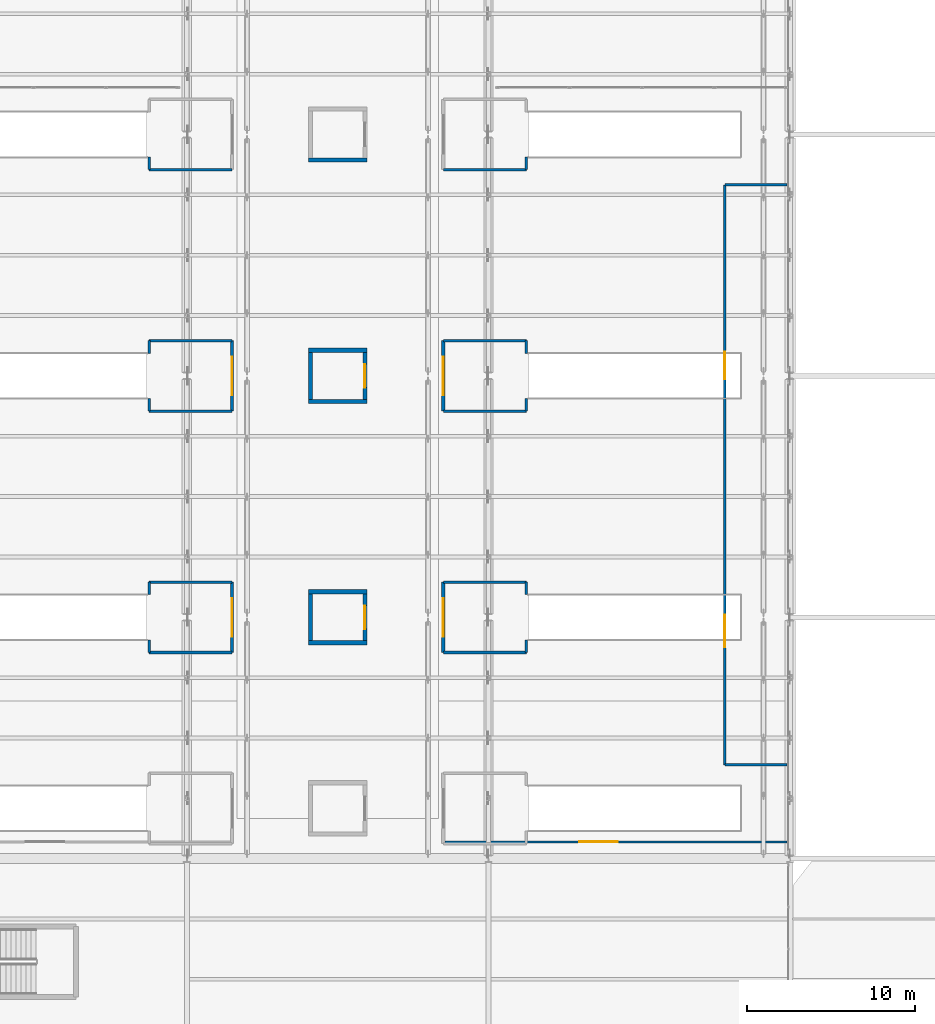
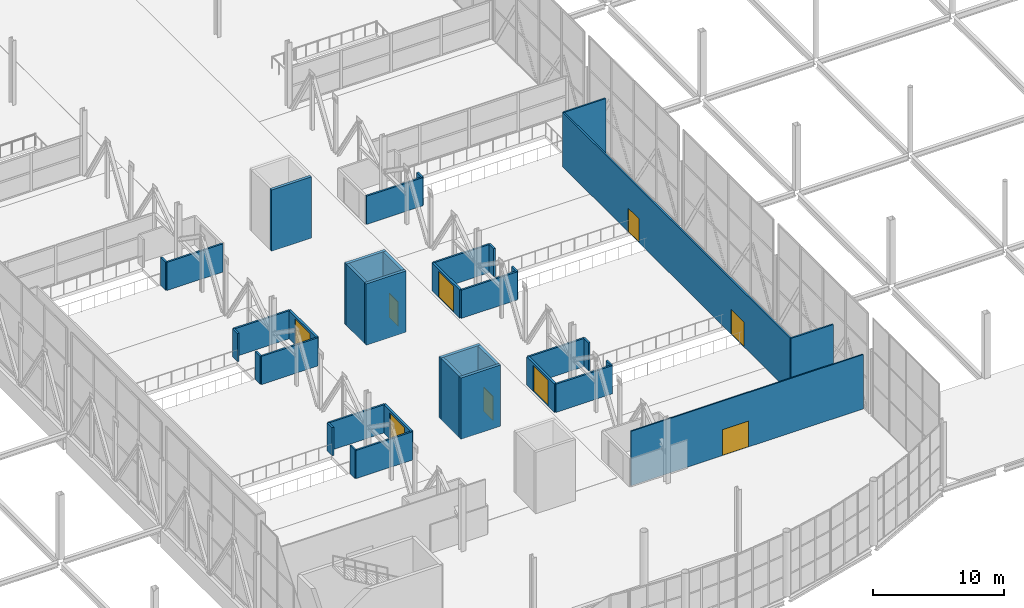
# One storey, part 168 of 191: 37 walls, 9 doors, 9 openings.
"""IFC4 building model written with IfcOpenShell, lengths in metres."""

from ifc_helpers import new_model, si_unit, direction, frame, frame_2d, origin, place, context, subcontext, project, spatial, rectangle, extrude, material, layer, layer_set, type_object, element, fill, save


model = new_model("IFC4")

# Units and contexts
model_context = context("Model", 3, precision=1e-05, world=origin(), true_north=direction((0.0, 1.0)))
body_context = subcontext(model_context, "Body", "Model", "MODEL_VIEW")
ifc_project = project(units=[si_unit("LENGTHUNIT", "METRE"), si_unit("AREAUNIT", "SQUARE_METRE"), si_unit("VOLUMEUNIT", "CUBIC_METRE"), si_unit("PLANEANGLEUNIT", "RADIAN"), si_unit("MASSUNIT", "GRAM", prefix="KILO")], contexts=[model_context])

# Site, building, storey
site_placement = place(None, origin())
site = spatial("IfcSite", under=ifc_project, at=site_placement, CompositionType="ELEMENT")
building_placement = place(site_placement, origin())
building = spatial("IfcBuilding", under=site, at=building_placement, Name="Tamarisk Ironworks Central Station", CompositionType="ELEMENT")
storey_placement = place(building_placement, frame((0.0, 0.0, 6.60009765625)))
storey = spatial("IfcBuildingStorey", under=building, at=storey_placement, Name="L01", CompositionType="ELEMENT", Elevation=6.60009765625)

# Walls
ifc_material_1 = material(Name="Gypsum plasterboard acoustic partition")
ifc_layer_1 = layer(ifc_material_1, 0.155029296875)
ifc_layer_set_1 = layer_set([ifc_layer_1], Name="Gypsum plasterboard acoustic partition")
wall_type_1 = type_object("IfcWallType", Name="WL-FC150", PredefinedType="PARTITIONING", material=ifc_layer_set_1)
for number, where, z_axis, x_axis, name in (
    (1, (69.75, 33.89990234375, 0.0), (0.0, 0.0, 1.0), (0.0, 1.0, 0.0), "ST-P2A smoke lobby flank S"),
    (2, (69.75, 37.35009765625, 0.0), (0.0, 0.0, 1.0), (0.0, 1.0, 0.0), "ST-P2A smoke lobby flank N"),
):
    element("IfcWall", number, at=place(storey_placement, frame(where, z_axis=z_axis, x_axis=x_axis)), inside=storey, type_object=wall_type_1, Name=name, PredefinedType="PARTITIONING", context=body_context, shape_type="SweptSolid", body=[
        extrude(rectangle(XDim=0.75, YDim=0.155029296875, at=frame_2d((0.375, 0.0))), origin(), (0.0, 0.0, 1.0), 2.619873046875),
    ])
for number, where, z_axis, x_axis, name in (
    (3, (69.75, 33.89990234375, 0.0), (0.0, 0.0, 1.0), (1.0, 0.0, 0.0), "ST-P2A smoke lobby return wall RETS"),
    (4, (69.75, 38.10009765625, 0.0), (0.0, 0.0, 1.0), (1.0, 0.0, 0.0), "ST-P2A smoke lobby return wall RETN"),
):
    element("IfcWall", number, at=place(storey_placement, frame(where, z_axis=z_axis, x_axis=x_axis)), inside=storey, type_object=wall_type_1, Name=name, PredefinedType="PARTITIONING", context=body_context, shape_type="SweptSolid", body=[
        extrude(rectangle(XDim=4.949951171875, YDim=0.155029296875, at=frame_2d((2.47509765625, 0.0))), origin(), (0.0, 0.0, 1.0), 2.619873046875),
    ])
for number, where, z_axis, x_axis, name in (
    (5, (92.25, 33.89990234375, 0.0), (0.0, 0.0, 1.0), (0.0, 1.0, 0.0), "ST-P2B smoke lobby flank S"),
    (6, (92.25, 37.35009765625, 0.0), (0.0, 0.0, 1.0), (0.0, 1.0, 0.0), "ST-P2B smoke lobby flank N"),
):
    element("IfcWall", number, at=place(storey_placement, frame(where, z_axis=z_axis, x_axis=x_axis)), inside=storey, type_object=wall_type_1, Name=name, PredefinedType="PARTITIONING", context=body_context, shape_type="SweptSolid", body=[
        extrude(rectangle(XDim=0.75, YDim=0.155029296875, at=frame_2d((0.375, 0.0))), origin(), (0.0, 0.0, 1.0), 2.619873046875),
    ])
for number, where, z_axis, x_axis, name in (
    (7, (87.300048828125, 33.89990234375, 0.0), (0.0, 0.0, 1.0), (1.0, 0.0, 0.0), "ST-P2B smoke lobby return wall RETS"),
    (8, (87.300048828125, 38.10009765625, 0.0), (0.0, 0.0, 1.0), (1.0, 0.0, 0.0), "ST-P2B smoke lobby return wall RETN"),
):
    element("IfcWall", number, at=place(storey_placement, frame(where, z_axis=z_axis, x_axis=x_axis)), inside=storey, type_object=wall_type_1, Name=name, PredefinedType="PARTITIONING", context=body_context, shape_type="SweptSolid", body=[
        extrude(rectangle(XDim=4.949951171875, YDim=0.155029296875, at=frame_2d((2.47509765625, 0.0))), origin(), (0.0, 0.0, 1.0), 2.619873046875),
    ])
for number, where, z_axis, x_axis, name in (
    (9, (69.75, 48.300048828125, 0.0), (0.0, 0.0, 1.0), (0.0, 1.0, 0.0), "ST-P3A smoke lobby flank S"),
    (10, (69.75, 51.75, 0.0), (0.0, 0.0, 1.0), (0.0, 1.0, 0.0), "ST-P3A smoke lobby flank N"),
):
    element("IfcWall", number, at=place(storey_placement, frame(where, z_axis=z_axis, x_axis=x_axis)), inside=storey, type_object=wall_type_1, Name=name, PredefinedType="PARTITIONING", context=body_context, shape_type="SweptSolid", body=[
        extrude(rectangle(XDim=0.75, YDim=0.155029296875, at=frame_2d((0.375, 0.0))), origin(), (0.0, 0.0, 1.0), 2.619873046875),
    ])
for number, where, z_axis, x_axis, name in (
    (11, (69.75, 48.300048828125, 0.0), (0.0, 0.0, 1.0), (1.0, 0.0, 0.0), "ST-P3A smoke lobby return wall RETS"),
    (12, (69.75, 52.5, 0.0), (0.0, 0.0, 1.0), (1.0, 0.0, 0.0), "ST-P3A smoke lobby return wall RETN"),
):
    element("IfcWall", number, at=place(storey_placement, frame(where, z_axis=z_axis, x_axis=x_axis)), inside=storey, type_object=wall_type_1, Name=name, PredefinedType="PARTITIONING", context=body_context, shape_type="SweptSolid", body=[
        extrude(rectangle(XDim=4.949951171875, YDim=0.155029296875, at=frame_2d((2.47509765625, 0.0))), origin(), (0.0, 0.0, 1.0), 2.619873046875),
    ])
for number, where, z_axis, x_axis, name in (
    (13, (92.25, 48.300048828125, 0.0), (0.0, 0.0, 1.0), (0.0, 1.0, 0.0), "ST-P3B smoke lobby flank S"),
    (14, (92.25, 51.75, 0.0), (0.0, 0.0, 1.0), (0.0, 1.0, 0.0), "ST-P3B smoke lobby flank N"),
):
    element("IfcWall", number, at=place(storey_placement, frame(where, z_axis=z_axis, x_axis=x_axis)), inside=storey, type_object=wall_type_1, Name=name, PredefinedType="PARTITIONING", context=body_context, shape_type="SweptSolid", body=[
        extrude(rectangle(XDim=0.75, YDim=0.155029296875, at=frame_2d((0.375, 0.0))), origin(), (0.0, 0.0, 1.0), 2.619873046875),
    ])
for number, where, z_axis, x_axis, name in (
    (15, (87.300048828125, 48.300048828125, 0.0), (0.0, 0.0, 1.0), (1.0, 0.0, 0.0), "ST-P3B smoke lobby return wall RETS"),
    (16, (87.300048828125, 52.5, 0.0), (0.0, 0.0, 1.0), (1.0, 0.0, 0.0), "ST-P3B smoke lobby return wall RETN"),
):
    element("IfcWall", number, at=place(storey_placement, frame(where, z_axis=z_axis, x_axis=x_axis)), inside=storey, type_object=wall_type_1, Name=name, PredefinedType="PARTITIONING", context=body_context, shape_type="SweptSolid", body=[
        extrude(rectangle(XDim=4.949951171875, YDim=0.155029296875, at=frame_2d((2.47509765625, 0.0))), origin(), (0.0, 0.0, 1.0), 2.619873046875),
    ])
wall_1_placement = place(storey_placement, frame((69.75, 62.699951171875, 0.0), z_axis=(0.0, 0.0, 1.0), x_axis=(0.0, 1.0, 0.0)))
element("IfcWall", 17, at=wall_1_placement, inside=storey, type_object=wall_type_1, Name="ST-P4A smoke lobby flank S", PredefinedType="PARTITIONING", context=body_context, shape_type="SweptSolid", body=[
    extrude(rectangle(XDim=0.75, YDim=0.155029296875, at=frame_2d((0.375, 0.0))), origin(), (0.0, 0.0, 1.0), 2.619873046875),
])
wall_2_placement = place(storey_placement, frame((69.75, 62.699951171875, 0.0), z_axis=(0.0, 0.0, 1.0), x_axis=(1.0, 0.0, 0.0)))
element("IfcWall", 18, at=wall_2_placement, inside=storey, type_object=wall_type_1, Name="ST-P4A smoke lobby return wall RETS", PredefinedType="PARTITIONING", context=body_context, shape_type="SweptSolid", body=[
    extrude(rectangle(XDim=4.949951171875, YDim=0.155029296875, at=frame_2d((2.47509765625, 0.0))), origin(), (0.0, 0.0, 1.0), 2.619873046875),
])
wall_3_placement = place(storey_placement, frame((92.25, 62.699951171875, 0.0), z_axis=(0.0, 0.0, 1.0), x_axis=(0.0, 1.0, 0.0)))
element("IfcWall", 19, at=wall_3_placement, inside=storey, type_object=wall_type_1, Name="ST-P4B smoke lobby flank S", PredefinedType="PARTITIONING", context=body_context, shape_type="SweptSolid", body=[
    extrude(rectangle(XDim=0.75, YDim=0.155029296875, at=frame_2d((0.375, 0.0))), origin(), (0.0, 0.0, 1.0), 2.619873046875),
])
wall_4_placement = place(storey_placement, frame((87.300048828125, 62.699951171875, 0.0), z_axis=(0.0, 0.0, 1.0), x_axis=(1.0, 0.0, 0.0)))
element("IfcWall", 20, at=wall_4_placement, inside=storey, type_object=wall_type_1, Name="ST-P4B smoke lobby return wall RETS", PredefinedType="PARTITIONING", context=body_context, shape_type="SweptSolid", body=[
    extrude(rectangle(XDim=4.949951171875, YDim=0.155029296875, at=frame_2d((2.47509765625, 0.0))), origin(), (0.0, 0.0, 1.0), 2.619873046875),
])

# Wall, opening, door
ifc_material_2 = material(Name="Laminated solar-control low-E glass", Category="glass")
ifc_layer_2 = layer(ifc_material_2, 0.114990234375)
ifc_layer_set_2 = layer_set([ifc_layer_2], Name="Laminated solar-control low-E glass")
wall_type_2 = type_object("IfcWallType", Name="WL-GL120", PredefinedType="PARTITIONING", material=ifc_layer_set_2)
wall_5_placement = place(storey_placement, frame((87.39794921875, 22.60009765625, 0.0), z_axis=(0.0, 0.0, 1.0), x_axis=(1.0, 0.0, 0.0)))
wall_5 = element("IfcWall", 21, at=wall_5_placement, inside=storey, type_object=wall_type_2, Name="L01 interior partition 0042", PredefinedType="PARTITIONING", context=body_context, shape_type="SweptSolid", body=[
    extrude(rectangle(XDim=20.39404296875, YDim=0.114990234375, at=frame_2d((10.197021484375, 0.0))), origin(), (0.0, 0.0, 1.0), 5.059814453125),
])
opening_1_placement = place(wall_5_placement, frame((8.001953125, 0.0, 0.0048828125)))
opening_1 = element("IfcOpeningElement", 22, at=opening_1_placement, cuts=wall_5, Name="Opening D01", PredefinedType="OPENING", context=body_context, shape_type="SweptSolid", body=[
    extrude(rectangle(XDim=2.300048828125, YDim=2.39990234375, at=frame_2d((1.14990234375, 1.199951171875))), frame((0.0, 0.0693359375, 0.0), z_axis=(0.0, -1.0, 0.0), x_axis=(1.0, 0.0, 0.0)), (0.0, 0.0, 1.0), 0.138916015625),
])
ifc_material_3 = material(Name="Anodized aluminium alloy 6063-T6", Category="aluminium")
door_type_1 = type_object("IfcDoorType", Name="DR-ID01", OperationType="NOTDEFINED", PredefinedType="DOOR", material=ifc_material_3)
door_1_placement = place(opening_1_placement, origin())
door_1 = element("IfcDoor", 23, at=door_1_placement, inside=storey, type_object=door_type_1, Name="L01 room door 0033", OperationType="DOUBLE_DOOR_SINGLE_SWING", OverallHeight=2.39990234375, OverallWidth=2.300048828125, PredefinedType="DOOR", context=body_context, shape_type="SweptSolid", body=[
    extrude(rectangle(XDim=2.300048828125, YDim=2.39990234375, at=frame_2d((1.14990234375, 1.199951171875))), frame((0.0, 0.02490234375, 0.0), z_axis=(0.0, -1.0, 0.0), x_axis=(1.0, 0.0, 0.0)), (0.0, 0.0, 1.0), 0.050048828125),
])
fill(opening_1, door_1)

# Walls
ifc_layer_3 = layer(ifc_material_1, 0.139892578125)
ifc_layer_set_3 = layer_set([ifc_layer_3], Name="Gypsum plasterboard acoustic partition")
wall_type_3 = type_object("IfcWallType", Name="WL-PT140", PredefinedType="PARTITIONING", material=ifc_layer_set_3)
for number, where, z_axis, x_axis, name in (
    (24, (104.10009765625, 27.199951171875, 0.0), (0.0, 0.0, 1.0), (1.0, 0.0, 0.0), "L01 interior partition 0046"),
    (25, (104.10009765625, 61.800048828125, 0.0), (0.0, 0.0, 1.0), (1.0, 0.0, 0.0), "L01 interior partition 0047"),
):
    element("IfcWall", number, at=place(storey_placement, frame(where, z_axis=z_axis, x_axis=x_axis)), inside=storey, type_object=wall_type_3, Name=name, PredefinedType="PARTITIONING", context=body_context, shape_type="SweptSolid", body=[
        extrude(rectangle(XDim=3.69189453125, YDim=0.139892578125, at=frame_2d((1.845947265625, 0.0))), origin(), (0.0, 0.0, 1.0), 5.059814453125),
    ])

# Wall, openings, doors
wall_6_placement = place(storey_placement, frame((104.10009765625, 27.199951171875, 0.0), z_axis=(0.0, 0.0, 1.0), x_axis=(0.0, 1.0, 0.0)))
wall_6 = element("IfcWall", 26, at=wall_6_placement, inside=storey, type_object=wall_type_3, Name="L01 interior partition 0048", PredefinedType="PARTITIONING", context=body_context, shape_type="SweptSolid", body=[
    extrude(rectangle(XDim=34.60009765625, YDim=0.139892578125, at=frame_2d((17.300048828125, 0.0))), origin(), (0.0, 0.0, 1.0), 5.059814453125),
])
opening_2_placement = place(wall_6_placement, frame((7.0, 0.0, 0.0048828125)))
opening_2 = element("IfcOpeningElement", 27, at=opening_2_placement, cuts=wall_6, Name="Opening D02", PredefinedType="OPENING", context=body_context, shape_type="SweptSolid", body=[
    extrude(rectangle(XDim=1.949951171875, YDim=2.300048828125, at=frame_2d((0.97509765625, 1.14990234375))), frame((0.0, 0.08203125, 0.0), z_axis=(0.0, -1.0, 0.0), x_axis=(1.0, 0.0, 0.0)), (0.0, 0.0, 1.0), 0.163818359375),
])
opening_3_placement = place(wall_6_placement, frame((23.0, 0.0, 0.0048828125)))
opening_3 = element("IfcOpeningElement", 28, at=opening_3_placement, cuts=wall_6, Name="Opening D03", PredefinedType="OPENING", context=body_context, shape_type="SweptSolid", body=[
    extrude(rectangle(XDim=1.64990234375, YDim=2.199951171875, at=frame_2d((0.824951171875, 1.10009765625))), frame((0.0, 0.08203125, 0.0), z_axis=(0.0, -1.0, 0.0), x_axis=(1.0, 0.0, 0.0)), (0.0, 0.0, 1.0), 0.163818359375),
])
door_type_2 = type_object("IfcDoorType", Name="DR-ID02", OperationType="NOTDEFINED", PredefinedType="DOOR", material=ifc_material_3)
door_2_placement = place(opening_2_placement, origin())
door_2 = element("IfcDoor", 29, at=door_2_placement, inside=storey, type_object=door_type_2, Name="L01 room door 0036", OperationType="DOUBLE_DOOR_SINGLE_SWING", OverallHeight=2.300048828125, OverallWidth=1.949951171875, PredefinedType="DOOR", context=body_context, shape_type="SweptSolid", body=[
    extrude(rectangle(XDim=1.949951171875, YDim=2.300048828125, at=frame_2d((0.97509765625, 1.14990234375))), frame((0.0, 0.02490234375, 0.0), z_axis=(0.0, -1.0, 0.0), x_axis=(1.0, 0.0, 0.0)), (0.0, 0.0, 1.0), 0.050048828125),
])
fill(opening_2, door_2)
ifc_material_4 = material(Name="FSC certified tropical hardwood timber", Category="wood")
door_type_3 = type_object("IfcDoorType", Name="DR-ID03", OperationType="NOTDEFINED", PredefinedType="DOOR", material=ifc_material_4)
door_3_placement = place(opening_3_placement, origin())
door_3 = element("IfcDoor", 30, at=door_3_placement, inside=storey, type_object=door_type_3, Name="L01 room door 0037", OperationType="DOUBLE_DOOR_SINGLE_SWING", OverallHeight=2.199951171875, OverallWidth=1.64990234375, PredefinedType="DOOR", context=body_context, shape_type="SweptSolid", body=[
    extrude(rectangle(XDim=1.64990234375, YDim=2.199951171875, at=frame_2d((0.824951171875, 1.10009765625))), frame((0.0, 0.02490234375, 0.0), z_axis=(0.0, -1.0, 0.0), x_axis=(1.0, 0.0, 0.0)), (0.0, 0.0, 1.0), 0.050048828125),
])
fill(opening_3, door_3)

# Wall, opening, door
ifc_material_5 = material(Name="Clay facing brickwork and mortar", Category="masonry")
ifc_layer_4 = layer(ifc_material_5, 0.199951171875)
ifc_layer_set_4 = layer_set([ifc_layer_4], Name="Clay facing brickwork and mortar")
wall_type_4 = type_object("IfcWallType", Name="WL-PT200", PredefinedType="PARTITIONING", material=ifc_layer_set_4)
wall_7_placement = place(storey_placement, frame((74.699951171875, 33.89990234375, 0.0), z_axis=(0.0, 0.0, 1.0), x_axis=(0.0, 1.0, 0.0)))
wall_7 = element("IfcWall", 31, at=wall_7_placement, inside=storey, type_object=wall_type_4, Name="ST-P2A smoke lobby barrier", PredefinedType="PARTITIONING", context=body_context, shape_type="SweptSolid", body=[
    extrude(rectangle(XDim=4.2001953125, YDim=0.199951171875, at=frame_2d((2.10009765625, 0.0))), origin(), (0.0, 0.0, 1.0), 2.619873046875),
])
opening_4_placement = place(wall_7_placement, frame((0.949951171875, 0.0, 0.0048828125)))
opening_4 = element("IfcOpeningElement", 32, at=opening_4_placement, cuts=wall_7, Name="Opening D01", PredefinedType="OPENING", context=body_context, shape_type="SweptSolid", body=[
    extrude(rectangle(XDim=2.300048828125, YDim=2.39990234375, at=frame_2d((1.14990234375, 1.199951171875))), frame((0.0, 0.11181640625, 0.0), z_axis=(0.0, -1.0, 0.0), x_axis=(1.0, 0.0, 0.0)), (0.0, 0.0, 1.0), 0.223876953125),
])
door_4_placement = place(opening_4_placement, origin())
door_4 = element("IfcDoor", 33, at=door_4_placement, inside=storey, type_object=door_type_1, Name="ST-P2A smoke lobby double boarding door", OperationType="DOUBLE_DOOR_SINGLE_SWING", OverallHeight=2.39990234375, OverallWidth=2.300048828125, PredefinedType="DOOR", context=body_context, shape_type="SweptSolid", body=[
    extrude(rectangle(XDim=2.300048828125, YDim=2.39990234375, at=frame_2d((1.14990234375, 1.199951171875))), frame((0.0, 0.02490234375, 0.0), z_axis=(0.0, -1.0, 0.0), x_axis=(1.0, 0.0, 0.0)), (0.0, 0.0, 1.0), 0.050048828125),
])
fill(opening_4, door_4)

wall_8_placement = place(storey_placement, frame((87.300048828125, 33.89990234375, 0.0), z_axis=(0.0, 0.0, 1.0), x_axis=(0.0, 1.0, 0.0)))
wall_8 = element("IfcWall", 34, at=wall_8_placement, inside=storey, type_object=wall_type_4, Name="ST-P2B smoke lobby barrier", PredefinedType="PARTITIONING", context=body_context, shape_type="SweptSolid", body=[
    extrude(rectangle(XDim=4.2001953125, YDim=0.199951171875, at=frame_2d((2.10009765625, 0.0))), origin(), (0.0, 0.0, 1.0), 2.619873046875),
])
opening_5_placement = place(wall_8_placement, frame((0.949951171875, 0.0, 0.0048828125)))
opening_5 = element("IfcOpeningElement", 35, at=opening_5_placement, cuts=wall_8, Name="Opening D01", PredefinedType="OPENING", context=body_context, shape_type="SweptSolid", body=[
    extrude(rectangle(XDim=2.300048828125, YDim=2.39990234375, at=frame_2d((1.14990234375, 1.199951171875))), frame((0.0, 0.11181640625, 0.0), z_axis=(0.0, -1.0, 0.0), x_axis=(1.0, 0.0, 0.0)), (0.0, 0.0, 1.0), 0.223876953125),
])
door_5_placement = place(opening_5_placement, origin())
door_5 = element("IfcDoor", 36, at=door_5_placement, inside=storey, type_object=door_type_1, Name="ST-P2B smoke lobby double boarding door", OperationType="DOUBLE_DOOR_SINGLE_SWING", OverallHeight=2.39990234375, OverallWidth=2.300048828125, PredefinedType="DOOR", context=body_context, shape_type="SweptSolid", body=[
    extrude(rectangle(XDim=2.300048828125, YDim=2.39990234375, at=frame_2d((1.14990234375, 1.199951171875))), frame((0.0, 0.02490234375, 0.0), z_axis=(0.0, -1.0, 0.0), x_axis=(1.0, 0.0, 0.0)), (0.0, 0.0, 1.0), 0.050048828125),
])
fill(opening_5, door_5)

wall_9_placement = place(storey_placement, frame((74.699951171875, 48.300048828125, 0.0), z_axis=(0.0, 0.0, 1.0), x_axis=(0.0, 1.0, 0.0)))
wall_9 = element("IfcWall", 37, at=wall_9_placement, inside=storey, type_object=wall_type_4, Name="ST-P3A smoke lobby barrier", PredefinedType="PARTITIONING", context=body_context, shape_type="SweptSolid", body=[
    extrude(rectangle(XDim=4.199951171875, YDim=0.199951171875, at=frame_2d((2.10009765625, 0.0))), origin(), (0.0, 0.0, 1.0), 2.619873046875),
])
opening_6_placement = place(wall_9_placement, frame((0.949951171875, 0.0, 0.0048828125)))
opening_6 = element("IfcOpeningElement", 38, at=opening_6_placement, cuts=wall_9, Name="Opening D01", PredefinedType="OPENING", context=body_context, shape_type="SweptSolid", body=[
    extrude(rectangle(XDim=2.300048828125, YDim=2.39990234375, at=frame_2d((1.14990234375, 1.199951171875))), frame((0.0, 0.11181640625, 0.0), z_axis=(0.0, -1.0, 0.0), x_axis=(1.0, 0.0, 0.0)), (0.0, 0.0, 1.0), 0.223876953125),
])
door_6_placement = place(opening_6_placement, origin())
door_6 = element("IfcDoor", 39, at=door_6_placement, inside=storey, type_object=door_type_1, Name="ST-P3A smoke lobby double boarding door", OperationType="DOUBLE_DOOR_SINGLE_SWING", OverallHeight=2.39990234375, OverallWidth=2.300048828125, PredefinedType="DOOR", context=body_context, shape_type="SweptSolid", body=[
    extrude(rectangle(XDim=2.300048828125, YDim=2.39990234375, at=frame_2d((1.14990234375, 1.199951171875))), frame((0.0, 0.02490234375, 0.0), z_axis=(0.0, -1.0, 0.0), x_axis=(1.0, 0.0, 0.0)), (0.0, 0.0, 1.0), 0.050048828125),
])
fill(opening_6, door_6)

wall_10_placement = place(storey_placement, frame((87.300048828125, 48.300048828125, 0.0), z_axis=(0.0, 0.0, 1.0), x_axis=(0.0, 1.0, 0.0)))
wall_10 = element("IfcWall", 40, at=wall_10_placement, inside=storey, type_object=wall_type_4, Name="ST-P3B smoke lobby barrier", PredefinedType="PARTITIONING", context=body_context, shape_type="SweptSolid", body=[
    extrude(rectangle(XDim=4.199951171875, YDim=0.199951171875, at=frame_2d((2.10009765625, 0.0))), origin(), (0.0, 0.0, 1.0), 2.619873046875),
])
opening_7_placement = place(wall_10_placement, frame((0.949951171875, 0.0, 0.0048828125)))
opening_7 = element("IfcOpeningElement", 41, at=opening_7_placement, cuts=wall_10, Name="Opening D01", PredefinedType="OPENING", context=body_context, shape_type="SweptSolid", body=[
    extrude(rectangle(XDim=2.300048828125, YDim=2.39990234375, at=frame_2d((1.14990234375, 1.199951171875))), frame((0.0, 0.11181640625, 0.0), z_axis=(0.0, -1.0, 0.0), x_axis=(1.0, 0.0, 0.0)), (0.0, 0.0, 1.0), 0.223876953125),
])
door_7_placement = place(opening_7_placement, origin())
door_7 = element("IfcDoor", 42, at=door_7_placement, inside=storey, type_object=door_type_1, Name="ST-P3B smoke lobby double boarding door", OperationType="DOUBLE_DOOR_SINGLE_SWING", OverallHeight=2.39990234375, OverallWidth=2.300048828125, PredefinedType="DOOR", context=body_context, shape_type="SweptSolid", body=[
    extrude(rectangle(XDim=2.300048828125, YDim=2.39990234375, at=frame_2d((1.14990234375, 1.199951171875))), frame((0.0, 0.02490234375, 0.0), z_axis=(0.0, -1.0, 0.0), x_axis=(1.0, 0.0, 0.0)), (0.0, 0.0, 1.0), 0.050048828125),
])
fill(opening_7, door_7)

# Walls
ifc_material_6 = material(Name="Concrete C50/60", Category="concrete")
ifc_layer_5 = layer(ifc_material_6, 0.25)
ifc_layer_set_5 = layer_set([ifc_layer_5], Name="Concrete C50/60")
wall_type_5 = type_object("IfcWallType", Name="WL-SH250", PredefinedType="SOLIDWALL", material=ifc_layer_set_5)
for number, where, z_axis, x_axis, name in (
    (43, (79.25, 34.47509765625, 0.0), (0.0, 0.0, 1.0), (1.0, 0.0, 0.0), "LF-P2 lift shaft wall S (L01)"),
    (44, (79.25, 37.52490234375, 0.0), (0.0, 0.0, 1.0), (1.0, 0.0, 0.0), "LF-P2 lift shaft wall N (L01)"),
):
    element("IfcWall", number, at=place(storey_placement, frame(where, z_axis=z_axis, x_axis=x_axis)), inside=storey, type_object=wall_type_5, Name=name, PredefinedType="SOLIDWALL", context=body_context, shape_type="SweptSolid", body=[
        extrude(rectangle(XDim=3.5, YDim=0.25, at=frame_2d((1.75, 0.0))), origin(), (0.0, 0.0, 1.0), 5.699951171875),
    ])
wall_11_placement = place(storey_placement, frame((79.375, 34.60009765625, 0.0), z_axis=(0.0, 0.0, 1.0), x_axis=(0.0, 1.0, 0.0)))
element("IfcWall", 45, at=wall_11_placement, inside=storey, type_object=wall_type_5, Name="LF-P2 lift shaft wall W (L01)", PredefinedType="SOLIDWALL", context=body_context, shape_type="SweptSolid", body=[
    extrude(rectangle(XDim=2.7998046875, YDim=0.25, at=frame_2d((1.39990234375, 0.0))), origin(), (0.0, 0.0, 1.0), 5.699951171875),
])

# Wall, opening, door
wall_12_placement = place(storey_placement, frame((82.625, 34.60009765625, 0.0), z_axis=(0.0, 0.0, 1.0), x_axis=(0.0, 1.0, 0.0)))
wall_12 = element("IfcWall", 46, at=wall_12_placement, inside=storey, type_object=wall_type_5, Name="LF-P2 lift shaft wall E (L01)", PredefinedType="SOLIDWALL", context=body_context, shape_type="SweptSolid", body=[
    extrude(rectangle(XDim=2.7998046875, YDim=0.25, at=frame_2d((1.39990234375, 0.0))), origin(), (0.0, 0.0, 1.0), 5.699951171875),
])
opening_8_placement = place(wall_12_placement, frame((0.699951171875, 0.0, 0.0048828125)))
opening_8 = element("IfcOpeningElement", 47, at=opening_8_placement, cuts=wall_12, Name="Opening LD01", PredefinedType="OPENING", context=body_context, shape_type="SweptSolid", body=[
    extrude(rectangle(XDim=1.39990234375, YDim=2.25, at=frame_2d((0.699951171875, 1.125))), frame((0.0, 0.136962890625, 0.0), z_axis=(0.0, -1.0, 0.0), x_axis=(1.0, 0.0, 0.0)), (0.0, 0.0, 1.0), 0.27392578125),
])
ifc_material_7 = material(Name="Brushed stainless steel AISI 316", Category="steel")
door_type_4 = type_object("IfcDoorType", Name="DR-LD01", OperationType="NOTDEFINED", PredefinedType="DOOR", material=ifc_material_7)
door_8_placement = place(opening_8_placement, origin())
door_8 = element("IfcDoor", 48, at=door_8_placement, inside=storey, type_object=door_type_4, Name="LF-P2 sliding lift landing door (L01)", OperationType="SLIDING_TO_LEFT", OverallHeight=2.25, OverallWidth=1.39990234375, PredefinedType="DOOR", context=body_context, shape_type="SweptSolid", body=[
    extrude(rectangle(XDim=1.39990234375, YDim=2.25, at=frame_2d((0.699951171875, 1.125))), frame((0.0, 0.02490234375, 0.0), z_axis=(0.0, -1.0, 0.0), x_axis=(1.0, 0.0, 0.0)), (0.0, 0.0, 1.0), 0.050048828125),
])
fill(opening_8, door_8)

# Walls
for number, where, z_axis, x_axis, name in (
    (49, (79.25, 48.875, 0.0), (0.0, 0.0, 1.0), (1.0, 0.0, 0.0), "LF-P3 lift shaft wall S (L01)"),
    (50, (79.25, 51.925048828125, 0.0), (0.0, 0.0, 1.0), (1.0, 0.0, 0.0), "LF-P3 lift shaft wall N (L01)"),
):
    element("IfcWall", number, at=place(storey_placement, frame(where, z_axis=z_axis, x_axis=x_axis)), inside=storey, type_object=wall_type_5, Name=name, PredefinedType="SOLIDWALL", context=body_context, shape_type="SweptSolid", body=[
        extrude(rectangle(XDim=3.5, YDim=0.25, at=frame_2d((1.75, 0.0))), origin(), (0.0, 0.0, 1.0), 5.699951171875),
    ])
wall_13_placement = place(storey_placement, frame((79.375, 49.0, 0.0), z_axis=(0.0, 0.0, 1.0), x_axis=(0.0, 1.0, 0.0)))
element("IfcWall", 51, at=wall_13_placement, inside=storey, type_object=wall_type_5, Name="LF-P3 lift shaft wall W (L01)", PredefinedType="SOLIDWALL", context=body_context, shape_type="SweptSolid", body=[
    extrude(rectangle(XDim=2.800048828125, YDim=0.25, at=frame_2d((1.39990234375, 0.0))), origin(), (0.0, 0.0, 1.0), 5.699951171875),
])

# Wall, opening, door
wall_14_placement = place(storey_placement, frame((82.625, 49.0, 0.0), z_axis=(0.0, 0.0, 1.0), x_axis=(0.0, 1.0, 0.0)))
wall_14 = element("IfcWall", 52, at=wall_14_placement, inside=storey, type_object=wall_type_5, Name="LF-P3 lift shaft wall E (L01)", PredefinedType="SOLIDWALL", context=body_context, shape_type="SweptSolid", body=[
    extrude(rectangle(XDim=2.800048828125, YDim=0.25, at=frame_2d((1.39990234375, 0.0))), origin(), (0.0, 0.0, 1.0), 5.699951171875),
])
opening_9_placement = place(wall_14_placement, frame((0.699951171875, 0.0, 0.0048828125)))
opening_9 = element("IfcOpeningElement", 53, at=opening_9_placement, cuts=wall_14, Name="Opening LD01", PredefinedType="OPENING", context=body_context, shape_type="SweptSolid", body=[
    extrude(rectangle(XDim=1.39990234375, YDim=2.25, at=frame_2d((0.699951171875, 1.125))), frame((0.0, 0.136962890625, 0.0), z_axis=(0.0, -1.0, 0.0), x_axis=(1.0, 0.0, 0.0)), (0.0, 0.0, 1.0), 0.27392578125),
])
door_9_placement = place(opening_9_placement, origin())
door_9 = element("IfcDoor", 54, at=door_9_placement, inside=storey, type_object=door_type_4, Name="LF-P3 sliding lift landing door (L01)", OperationType="SLIDING_TO_LEFT", OverallHeight=2.25, OverallWidth=1.39990234375, PredefinedType="DOOR", context=body_context, shape_type="SweptSolid", body=[
    extrude(rectangle(XDim=1.39990234375, YDim=2.25, at=frame_2d((0.699951171875, 1.125))), frame((0.0, 0.02490234375, 0.0), z_axis=(0.0, -1.0, 0.0), x_axis=(1.0, 0.0, 0.0)), (0.0, 0.0, 1.0), 0.050048828125),
])
fill(opening_9, door_9)

# Wall
wall_15_placement = place(storey_placement, frame((79.25, 63.27490234375, 0.0), z_axis=(0.0, 0.0, 1.0), x_axis=(1.0, 0.0, 0.0)))
element("IfcWall", 55, at=wall_15_placement, inside=storey, type_object=wall_type_5, Name="LF-P4 lift shaft wall S (L01)", PredefinedType="SOLIDWALL", context=body_context, shape_type="SweptSolid", body=[
    extrude(rectangle(XDim=3.5, YDim=0.25, at=frame_2d((1.75, 0.0))), origin(), (0.0, 0.0, 1.0), 5.699951171875),
])

save(model, "model.ifc")
